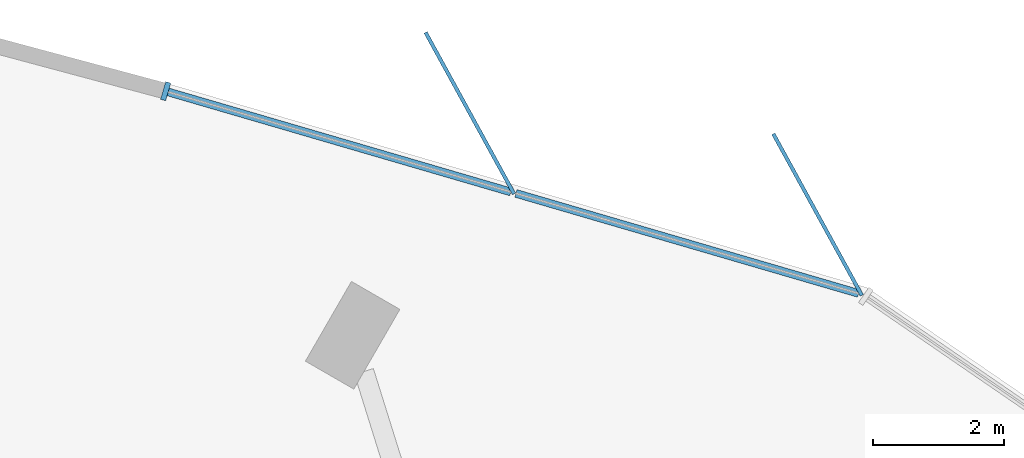
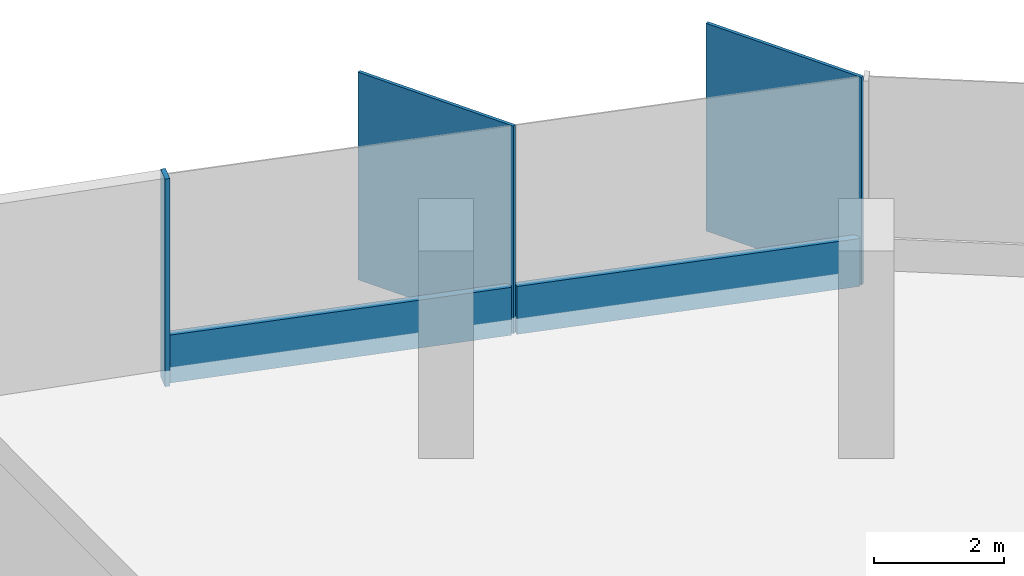
# One storey, part 6 of 14: 5 members, 1 element without a shape of its own.
"""IFC4 building model written with IfcOpenShell, lengths in metres."""

from ifc_helpers import new_model, si_unit, direction, frame, origin, origin_2d, place, context, subcontext, project, spatial, rectangle, extrude, material, material_profile, profile_set, type_object, element, aggregate, save


model = new_model("IFC4")

# Units and contexts
model_context = context("Model", 3, precision=1e-05, world=origin(), true_north=direction((0.0, 1.0)))
body_context = subcontext(model_context, "Body", "Model", "MODEL_VIEW")
ifc_project = project(units=[si_unit("LENGTHUNIT", "METRE"), si_unit("AREAUNIT", "SQUARE_METRE"), si_unit("VOLUMEUNIT", "CUBIC_METRE"), si_unit("PLANEANGLEUNIT", "RADIAN"), si_unit("MASSUNIT", "GRAM", prefix="KILO")], contexts=[model_context])

# Site, building, storey
site_placement = place(None, origin())
site = spatial("IfcSite", under=ifc_project, at=site_placement, CompositionType="ELEMENT")
building_placement = place(site_placement, origin())
building = spatial("IfcBuilding", under=site, at=building_placement, Name="Tanit Gate Tower", CompositionType="ELEMENT")
storey_placement = place(building_placement, frame((0.0, 0.0, 306.5)))
storey = spatial("IfcBuildingStorey", under=building, at=storey_placement, Name="L68", CompositionType="ELEMENT", Elevation=306.5)

# Curtain wall, members
ifc_material_1 = material(Name="Aluminium bronze anodised and glass", Category="aluminium")
curtain_wall_type = type_object("IfcCurtainWallType", Name="Curtain wall typical high", PredefinedType="NOTDEFINED", material=ifc_material_1)
curtain_wall_placement = place(storey_placement, origin())
curtain_wall = element("IfcCurtainWall", 1, at=curtain_wall_placement, inside=storey, type_object=curtain_wall_type, Name="Curtain wall L68 NE3", PredefinedType="NOTDEFINED")
ifc_material_2 = material(Name="Aluminium bronze anodised", Category="aluminium")
ifc_material_profile_1 = material_profile(ifc_material_2, rectangle(XDim=2.800048828125, YDim=0.055908203125, at=origin_2d()), Name="56x2800 bronze fin mullion")
ifc_profile_set_1 = profile_set([ifc_material_profile_1], Name="Aluminium bronze anodised")
member_type_1 = type_object("IfcMemberType", Name="FIN MULLION 56x2800 bronze", PredefinedType="MULLION", material=ifc_profile_set_1)
member_1_placement = place(storey_placement, frame((-2.101806640625, 31.19140625, -0.300048828125), z_axis=(0.0, 0.0, 1.0), x_axis=(0.480719064204, -0.87687466682, 0.0)))
member_1 = element("IfcMember", 2, at=member_1_placement, type_object=member_type_1, Name="Fin mullion L68 NE3.1", PredefinedType="MULLION", context=body_context, shape_type="SweptSolid", body=[
    extrude(rectangle(XDim=2.800048828125, YDim=0.055908203125, at=origin_2d()), origin(), (0.0, 0.0, 1.0), 3.900146484375),
])
member_2_placement = place(storey_placement, frame((-7.39208984375, 32.735107421875, -0.300048828125), z_axis=(0.0, 0.0, 1.0), x_axis=(0.480719064204, -0.87687466682, 0.0)))
member_2 = element("IfcMember", 3, at=member_2_placement, type_object=member_type_1, Name="Fin mullion L68 NE3.2", PredefinedType="MULLION", context=body_context, shape_type="SweptSolid", body=[
    extrude(rectangle(XDim=2.800048828125, YDim=0.055908203125, at=origin_2d()), origin(), (0.0, 0.0, 1.0), 3.900146484375),
])
ifc_material_3 = material(Name="Aluminium bronze anodised", Category="aluminium")
ifc_material_profile_2 = material_profile(ifc_material_3, rectangle(XDim=0.280029296875, YDim=0.080078125, at=origin_2d()), Name="80x280 bronze mullion")
ifc_profile_set_2 = profile_set([ifc_material_profile_2], Name="Aluminium bronze anodised")
member_type_2 = type_object("IfcMemberType", Name="Mullion 80x280 typical high", PredefinedType="MULLION", material=ifc_profile_set_2)
member_3_placement = place(storey_placement, frame((-12.01904296875, 33.068603515625, -0.300048828125), z_axis=(0.0, 0.0, 1.0), x_axis=(-0.280124313015, -0.959963733303, 0.0)))
member_3 = element("IfcMember", 4, at=member_3_placement, type_object=member_type_2, Name="Mullion L68 NE3.3", PredefinedType="MULLION", context=body_context, shape_type="SweptSolid", body=[
    extrude(rectangle(XDim=0.280029296875, YDim=0.080078125, at=origin_2d()), origin(), (0.0, 0.0, 1.0), 3.900146484375),
])
ifc_material_4 = material(Name="Aluminium bronze anodised", Category="aluminium")
ifc_material_profile_3 = material_profile(ifc_material_4, rectangle(XDim=0.1201171875, YDim=0.89990234375, at=origin_2d()), Name="120x900 bronze transom")
ifc_profile_set_3 = profile_set([ifc_material_profile_3], Name="Aluminium bronze anodised")
member_type_3 = type_object("IfcMemberType", Name="Transom 120x900 typical high", PredefinedType="USERDEFINED", material=ifc_profile_set_3)
member_4_placement = place(storey_placement, frame((-1.4765625, 29.9921875, 0.14990234375), z_axis=(-0.959961729217, 0.280131180768, 0.0), x_axis=(-0.280131180768, -0.959961729217, 0.0)))
member_4 = element("IfcMember", 5, at=member_4_placement, type_object=member_type_3, Name="Transom L68 NE3.1", ObjectType="TRANSOM", PredefinedType="USERDEFINED", context=body_context, shape_type="SweptSolid", body=[
    extrude(rectangle(XDim=0.1201171875, YDim=0.89990234375, at=origin_2d()), origin(), (0.0, 0.0, 1.0), 5.431396484375),
])
member_5_placement = place(storey_placement, frame((-6.76708984375, 31.5361328125, 0.14990234375), z_axis=(-0.959970289687, 0.280101843832, 0.0), x_axis=(-0.280101843832, -0.959970289687, 0.0)))
member_5 = element("IfcMember", 6, at=member_5_placement, type_object=member_type_3, Name="Transom L68 NE3.2", ObjectType="TRANSOM", PredefinedType="USERDEFINED", context=body_context, shape_type="SweptSolid", body=[
    extrude(rectangle(XDim=0.1201171875, YDim=0.89990234375, at=origin_2d()), origin(), (0.0, 0.0, 1.0), 5.430908203125),
])
aggregate(curtain_wall, [member_1, member_2, member_3, member_4, member_5])

save(model, "model.ifc")
